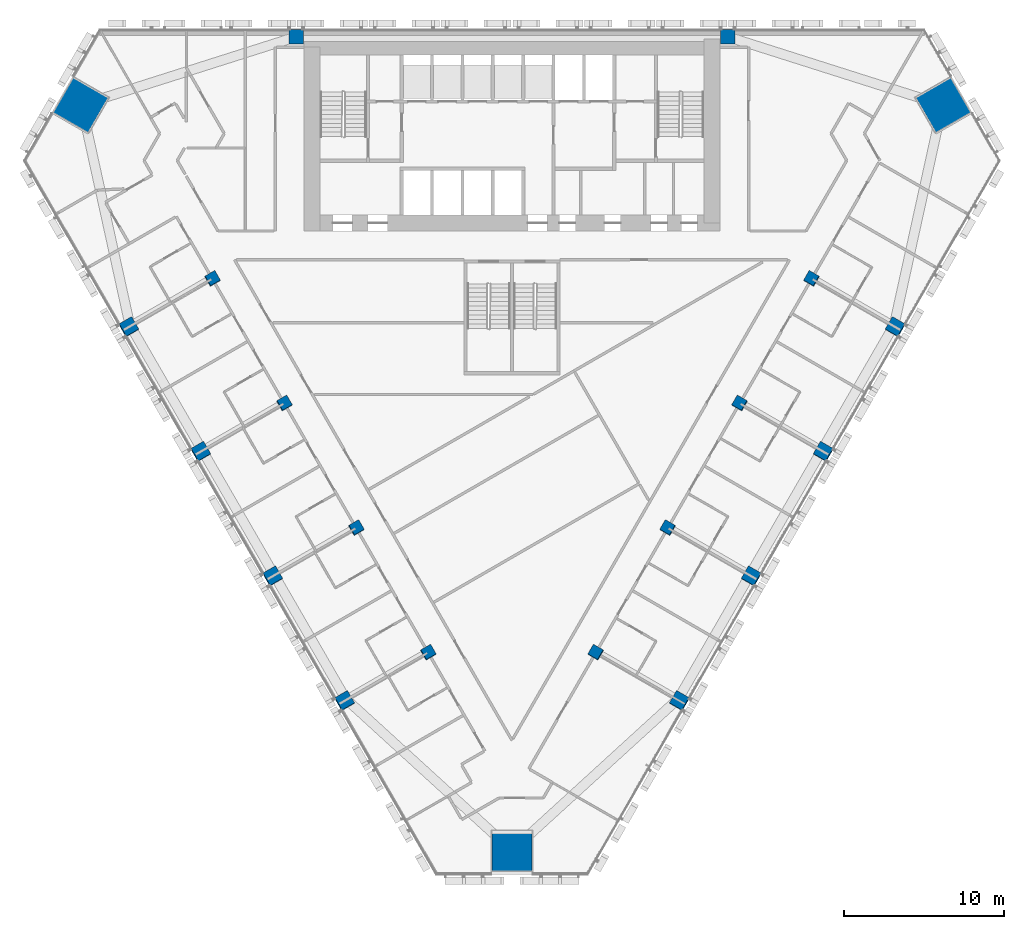
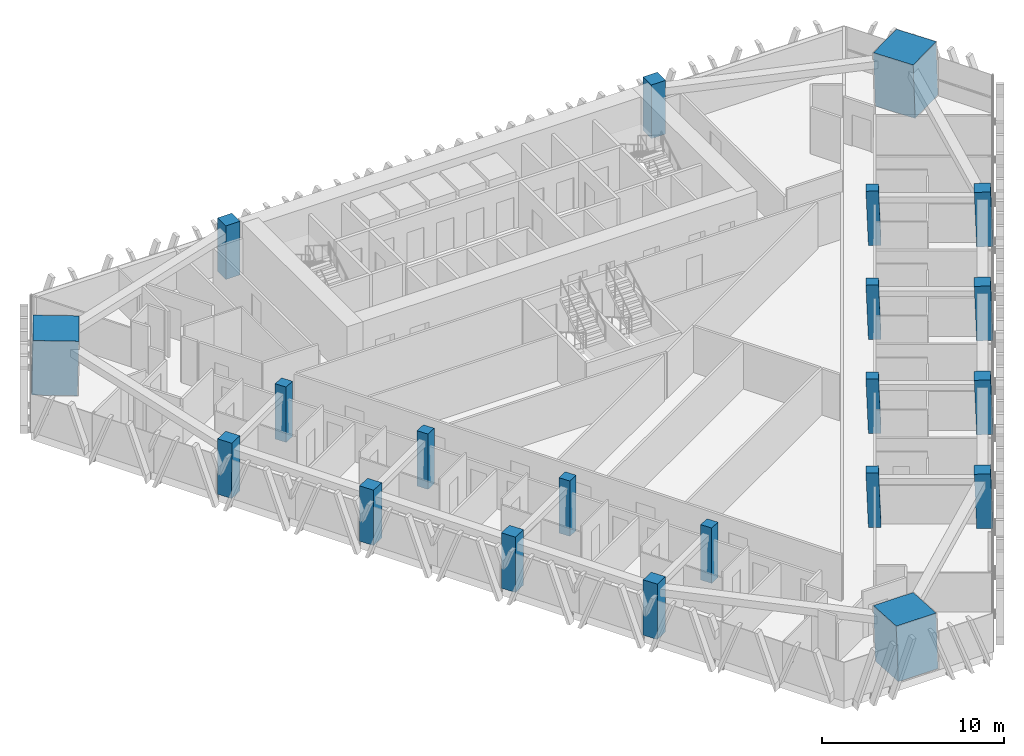
# One storey, part 1 of 17: 21 columns.
"""IFC4 building model written with IfcOpenShell, lengths in metres."""

from ifc_helpers import new_model, si_unit, direction, frame, origin, origin_2d, place, context, subcontext, project, spatial, rectangle, extrude, material, material_profile, profile_set, type_object, element, save


model = new_model("IFC4")

# Units and contexts
model_context = context("Model", 3, precision=1e-05, world=origin(), true_north=direction((0.0, 1.0)))
body_context = subcontext(model_context, "Body", "Model", "MODEL_VIEW")
ifc_project = project(units=[si_unit("LENGTHUNIT", "METRE"), si_unit("AREAUNIT", "SQUARE_METRE"), si_unit("VOLUMEUNIT", "CUBIC_METRE"), si_unit("PLANEANGLEUNIT", "RADIAN"), si_unit("MASSUNIT", "GRAM", prefix="KILO")], contexts=[model_context])

# Site, building, storey
site_placement = place(None, origin())
site = spatial("IfcSite", under=ifc_project, at=site_placement, CompositionType="ELEMENT")
building_placement = place(site_placement, origin())
building = spatial("IfcBuilding", under=site, at=building_placement, Name="Altiplano Prism Tower", CompositionType="ELEMENT")
storey_placement = place(building_placement, frame((0.0, 0.0, 52.199951171875)))
storey = spatial("IfcBuildingStorey", under=building, at=storey_placement, Name="L12", CompositionType="ELEMENT", Elevation=52.199951171875)

# Columns
ifc_material_1 = material(Name="Concrete C60/75", Category="concrete")
ifc_material_profile_1 = material_profile(ifc_material_1, rectangle(XDim=0.699951171875, YDim=0.699951171875, at=origin_2d()), Name="Inner column 700")
ifc_profile_set_1 = profile_set([ifc_material_profile_1], Name="Concrete C60/75")
column_type_1 = type_object("IfcColumnType", Name="Inner column 700", PredefinedType="COLUMN", material=ifc_profile_set_1)
for number, where, z_axis, x_axis, name in (
    (1, (66.252197265625, 89.410400390625, -0.021240234375), (0.02215369191, 0.038413282303, 0.999016333038), (-0.865357758702, -0.499681054678, 0.038403034389), "Inner column I11 L12"),
    (2, (70.752197265625, 81.6162109375, -0.021240234375), (0.02215369191, 0.038413282303, 0.999016333038), (-0.865362014197, -0.499673699336, 0.038402845936), "Inner column I12 L12"),
    (3, (75.252197265625, 73.82177734375, -0.021240234375), (0.022153634206, 0.038480930364, 0.999013730882), (-0.864982432441, -0.500326616032, 0.038453463537), "Inner column I13 L12"),
    (4, (79.752197265625, 66.027587890625, -0.021240234375), (0.022153634206, 0.038480930364, 0.999013730882), (-0.864983989859, -0.500323928804, 0.038453394564), "Inner column I14 L12"),
    (5, (90.247802734375, 66.027587890625, -0.021240234375), (-0.022153634206, 0.038480930364, 0.999013730882), (-0.501310197162, -0.864982765299, 0.022201395376), "Inner column I21 L12"),
    (6, (94.747802734375, 73.82177734375, -0.021240234375), (-0.022153634206, 0.038480930364, 0.999013730882), (-0.501312884394, -0.864981210945, 0.022201275913), "Inner column I22 L12"),
    (7, (99.247802734375, 81.6162109375, -0.021240234375), (-0.02215369191, 0.038413282303, 0.999016333038), (-0.500657366189, -0.865361550992, 0.022171778155), "Inner column I23 L12"),
    (8, (103.747802734375, 89.410400390625, -0.021240234375), (-0.02215369191, 0.038413282303, 0.999016333038), (-0.500660054594, -0.865359998658, 0.022171658849), "Inner column I24 L12"),
):
    element("IfcColumn", number, at=place(storey_placement, frame(where, z_axis=z_axis, x_axis=x_axis)), inside=storey, type_object=column_type_1, Name=name, PredefinedType="COLUMN", context=body_context, shape_type="SweptSolid", body=[
        extrude(rectangle(XDim=0.699951171875, YDim=0.699951171875, at=origin_2d()), origin(), (0.0, 0.0, 1.0), 3.603759765625),
    ])
ifc_material_2 = material(Name="Concrete C70/85", Category="concrete")
ifc_material_profile_2 = material_profile(ifc_material_2, rectangle(XDim=2.52001953125, YDim=2.52001953125, at=origin_2d()), Name="Mega column infill 2600")
ifc_profile_set_2 = profile_set([ifc_material_profile_2], Name="Concrete C70/85")
column_type_2 = type_object("IfcColumnType", Name="Mega column infill 2600", PredefinedType="COLUMN", material=ifc_profile_set_2)
column_1_placement = place(storey_placement, frame((57.968505859375, 100.253173828125, 0.0), z_axis=(0.028401796786, 0.009286506348, 0.999553449666), x_axis=(-0.866201881135, 0.49929484702, 0.019973904391)))
element("IfcColumn", 9, at=column_1_placement, inside=storey, type_object=column_type_2, Name="Mega column M0 L12", PredefinedType="COLUMN", context=body_context, shape_type="SweptSolid", body=[
    extrude(rectangle(XDim=2.52001953125, YDim=2.52001953125, at=origin_2d()), origin(), (0.0, 0.0, 1.0), 3.601806640625),
])
column_2_placement = place(storey_placement, frame((85.0, 53.433349609375, 0.0), z_axis=(0.0, 0.058356907999, 0.998295783467), x_axis=(-1.0, 0.0, 0.0)))
element("IfcColumn", 10, at=column_2_placement, inside=storey, type_object=column_type_2, Name="Mega column M1 L12", PredefinedType="COLUMN", context=body_context, shape_type="SweptSolid", body=[
    extrude(rectangle(XDim=2.52001953125, YDim=2.52001953125, at=origin_2d()), origin(), (0.0, 0.0, 1.0), 3.606201171875),
])
column_3_placement = place(storey_placement, frame((112.031494140625, 100.253173828125, 0.0), z_axis=(-0.028401796786, 0.009286506348, 0.999553449666), x_axis=(0.49888889343, -0.8663809353, 0.02222491757)))
element("IfcColumn", 11, at=column_3_placement, inside=storey, type_object=column_type_2, Name="Mega column M2 L12", PredefinedType="COLUMN", context=body_context, shape_type="SweptSolid", body=[
    extrude(rectangle(XDim=2.52001953125, YDim=2.52001953125, at=origin_2d()), origin(), (0.0, 0.0, 1.0), 3.601806640625),
])
ifc_material_profile_3 = material_profile(ifc_material_1, rectangle(XDim=0.89990234375, YDim=0.89990234375, at=origin_2d()), Name="Perimeter column 900")
ifc_profile_set_3 = profile_set([ifc_material_profile_3], Name="Concrete C60/75")
column_type_3 = type_object("IfcColumnType", Name="Perimeter column 900", PredefinedType="COLUMN", material=ifc_profile_set_3)
for number, where, z_axis, x_axis, name in (
    (12, (98.5, 104.550048828125, 0.0), (0.0, 0.0, 1.0), (1.0, 0.0, 0.0), "Perimeter column P01 L12"),
    (13, (71.5, 104.550048828125, 0.0), (0.0, 0.0, 1.0), (1.0, 0.0, 0.0), "Perimeter column P04 L12"),
):
    element("IfcColumn", number, at=place(storey_placement, frame(where, z_axis=z_axis, x_axis=x_axis)), inside=storey, type_object=column_type_3, Name=name, PredefinedType="COLUMN", context=body_context, shape_type="SweptSolid", body=[
        extrude(rectangle(XDim=0.89990234375, YDim=0.89990234375, at=origin_2d()), origin(), (0.0, 0.0, 1.0), 3.60009765625),
    ])
for number, where, z_axis, x_axis, name in (
    (14, (61.012451171875, 86.385009765625, -0.02734375), (0.02222134892, 0.038480872521, 0.999012229206), (-0.865637891076, -0.499189450988, 0.038482899528), "Perimeter column P11 L12"),
    (15, (65.512451171875, 78.5908203125, -0.02734375), (0.02222134892, 0.038480872521, 0.999012229206), (-0.865639436236, -0.499186776828, 0.038482830891), "Perimeter column P12 L12"),
    (16, (70.012451171875, 70.796630859375, -0.02734375), (0.02222134892, 0.038480872521, 0.999012229206), (-0.865642107509, -0.499182153693, 0.038482712231), "Perimeter column P13 L12"),
    (17, (74.512451171875, 63.00244140625, -0.02734375), (0.022221406801, 0.038413224561, 0.999014831351), (-0.866025625924, -0.498520411573, 0.0384319462), "Perimeter column P14 L12"),
    (18, (95.487548828125, 63.00244140625, -0.02734375), (-0.022221406801, 0.038413224561, 0.999014831351), (-0.499505579872, -0.866026456538, 0.02218901198), "Perimeter column P21 L12"),
    (19, (99.987548828125, 70.796630859375, -0.02734375), (-0.02222134892, 0.038480872521, 0.999012229206), (-0.500169924484, -0.865642189293, 0.022218162776), "Perimeter column P22 L12"),
    (20, (104.487548828125, 78.5908203125, -0.02734375), (-0.02222134892, 0.038480872521, 0.999012229206), (-0.500174547619, -0.865639523295, 0.02221795725), "Perimeter column P23 L12"),
    (21, (108.987548828125, 86.385009765625, -0.02734375), (-0.02222134892, 0.038480872521, 0.999012229206), (-0.500177221778, -0.865637981187, 0.022217838368), "Perimeter column P24 L12"),
):
    element("IfcColumn", number, at=place(storey_placement, frame(where, z_axis=z_axis, x_axis=x_axis)), inside=storey, type_object=column_type_3, Name=name, PredefinedType="COLUMN", context=body_context, shape_type="SweptSolid", body=[
        extrude(rectangle(XDim=0.89990234375, YDim=0.89990234375, at=origin_2d()), origin(), (0.0, 0.0, 1.0), 3.603759765625),
    ])

save(model, "model.ifc")
